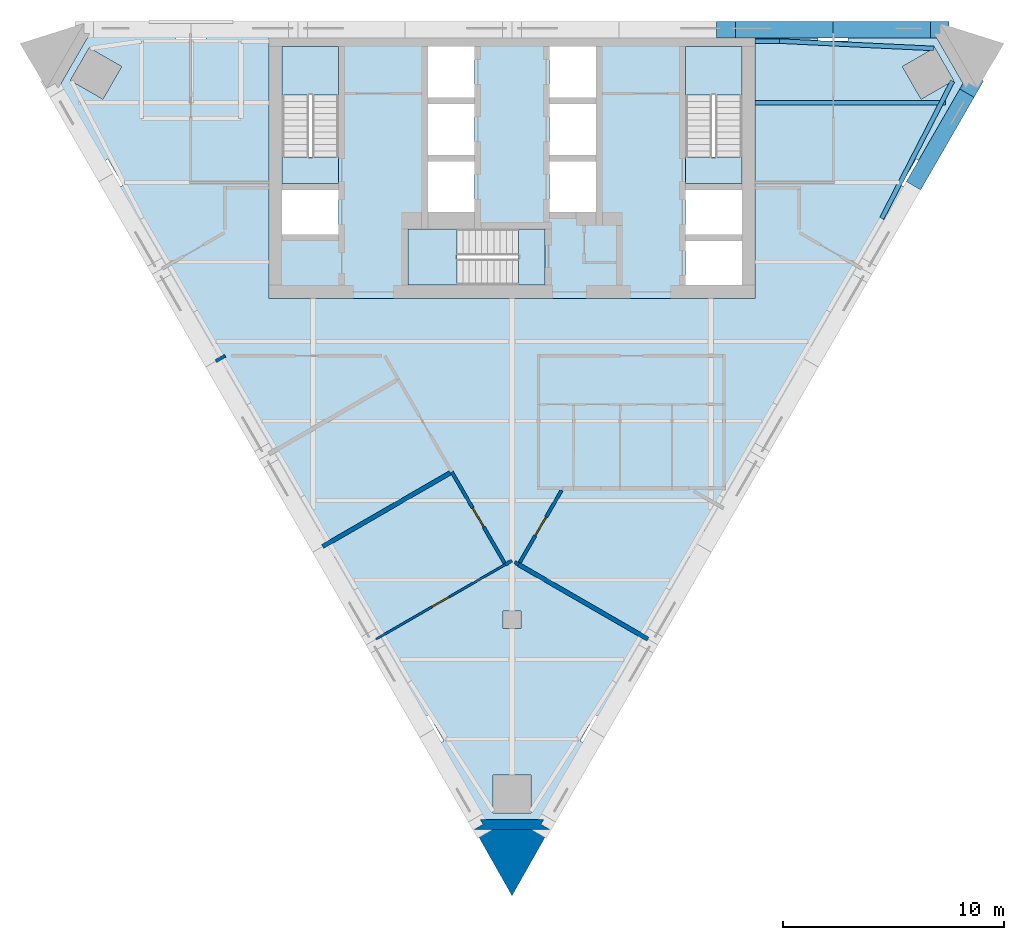
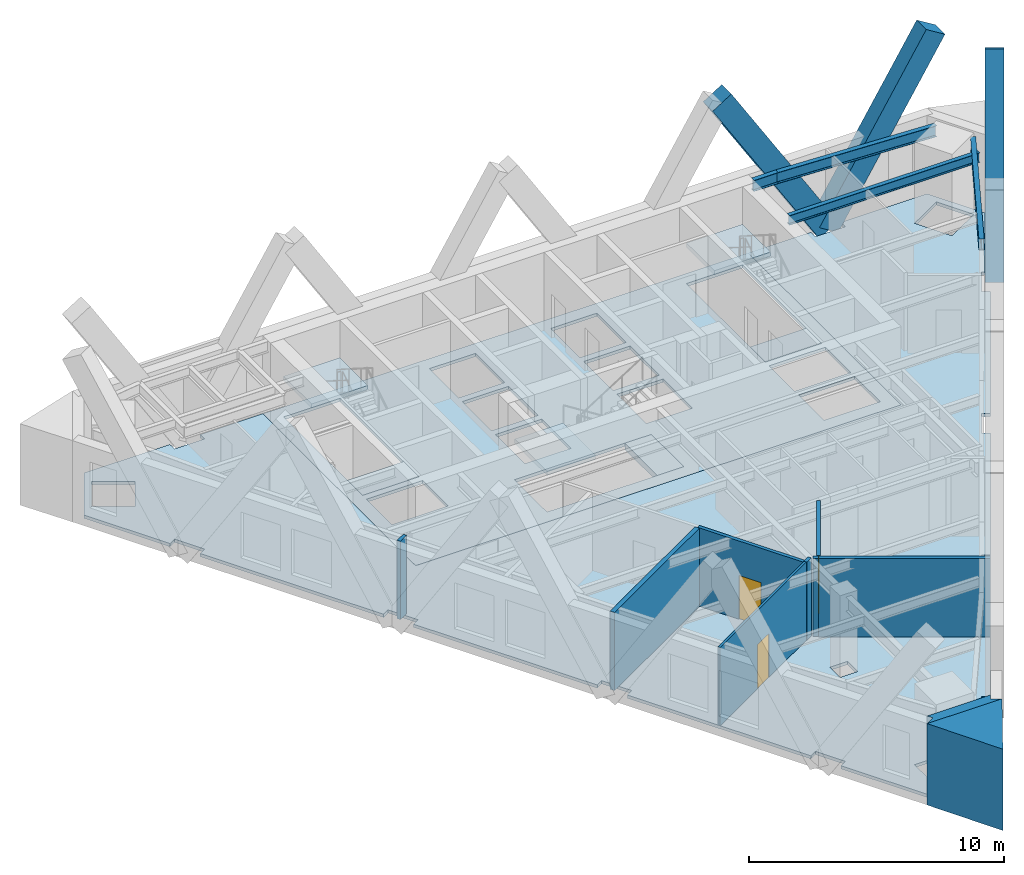
# One storey, part 2 of 7: 10 walls, 8 slabs, 4 beams, 3 doors, 3 members, 3 openings, 3 elements without a shape of their own.
"""IFC4 building model written with IfcOpenShell, lengths in metres."""

from ifc_helpers import new_model, si_unit, direction, frame, frame_2d, origin, origin_2d, place, context, subcontext, project, spatial, polyline, rectangle, i_section, outline, extrude, material, layer, layer_set, material_profile, profile_set, type_object, element, fill, aggregate, save


model = new_model("IFC4")

# Units and contexts
model_context = context("Model", 3, precision=1e-05, world=origin(), true_north=direction((0.0, 1.0)))
body_context = subcontext(model_context, "Body", "Model", "MODEL_VIEW")
ifc_project = project(units=[si_unit("LENGTHUNIT", "METRE"), si_unit("AREAUNIT", "SQUARE_METRE"), si_unit("VOLUMEUNIT", "CUBIC_METRE"), si_unit("PLANEANGLEUNIT", "RADIAN"), si_unit("MASSUNIT", "GRAM", prefix="KILO")], contexts=[model_context])

# Site, building, storey
site_placement = place(None, origin())
site = spatial("IfcSite", under=ifc_project, at=site_placement, CompositionType="ELEMENT")
building_placement = place(site_placement, origin())
building = spatial("IfcBuilding", under=site, at=building_placement, Name="Aloe Facet Convention Tower", CompositionType="ELEMENT")
storey_placement = place(building_placement, frame((0.0, 0.0, 188.0)))
storey = spatial("IfcBuildingStorey", under=building, at=storey_placement, Name="L47", CompositionType="ELEMENT", Elevation=188.0)

# Beams
ifc_material_1 = material(Name="Steel S355", Category="steel")
ifc_material_profile_1 = material_profile(ifc_material_1, i_section(OverallWidth=0.19140625, OverallDepth=0.4599609375, WebThickness=0.010009765625, FlangeThickness=0.01611328125, FilletRadius=0.01025390625, at=origin_2d()), Name="UB 457x191x82")
ifc_profile_set_1 = profile_set([ifc_material_profile_1], Name="Steel S355")
beam_type_1 = type_object("IfcBeamType", Name="SF-B-UB457x191x82", PredefinedType="BEAM", material=ifc_profile_set_1)
beam_1_placement = place(storey_placement, frame((91.0, 131.39990234375, 3.52001953125), z_axis=(1.0, 0.0, 0.0), x_axis=(0.0, 1.0, 0.0)))
element("IfcBeam", 1, at=beam_1_placement, inside=storey, type_object=beam_type_1, Name="Floor beam FB-Z4C-047", PredefinedType="BEAM", context=body_context, shape_type="SweptSolid", body=[
    extrude(i_section(OverallWidth=0.19140625, OverallDepth=0.4599609375, WebThickness=0.010009765625, FlangeThickness=0.01611328125, FilletRadius=0.01025390625, at=origin_2d()), origin(), (0.0, 0.0, 1.0), 8.626220703125),
])
ifc_material_2 = material(Name="Steel S355", Category="steel")
ifc_material_profile_2 = material_profile(ifc_material_2, i_section(OverallWidth=0.209228515625, OverallDepth=0.533203125, WebThickness=0.010009765625, FlangeThickness=0.015625, FilletRadius=0.0126953125, at=origin_2d()), Name="UB 533x210x92")
ifc_profile_set_2 = profile_set([ifc_material_profile_2], Name="Steel S355")
beam_type_2 = type_object("IfcBeamType", Name="SF-B-UB533x210x92", PredefinedType="BEAM", material=ifc_profile_set_2)
beam_2_placement = place(storey_placement, frame((91.0, 134.1953125, 3.4833984375), z_axis=(1.0, 0.0, 0.0), x_axis=(0.0, 1.0, 0.0)))
element("IfcBeam", 2, at=beam_2_placement, inside=storey, type_object=beam_type_2, Name="Floor beam FB-Z4C-016", PredefinedType="BEAM", context=body_context, shape_type="SweptSolid", body=[
    extrude(i_section(OverallWidth=0.209228515625, OverallDepth=0.533203125, WebThickness=0.010009765625, FlangeThickness=0.015625, FilletRadius=0.0126953125, at=origin_2d()), origin(), (0.0, 0.0, 1.0), 1.102783203125),
])
for number, where, z_axis, x_axis, name in (
    (3, (92.102783203125, 134.1953125, 3.4833984375), (0.998862131036, -0.047691122669, 0.0), (0.047691122669, 0.998862131036, 0.0), "Floor beam FB-Z4C-018"),
    (4, (99.94287109375, 132.389404296875, 3.4833984375), (-0.458134533977, -0.888882865611, 0.0), (0.888882865611, -0.458134533977, 0.0), "Floor beam FB-Z4C-021"),
):
    element("IfcBeam", number, at=place(storey_placement, frame(where, z_axis=z_axis, x_axis=x_axis)), inside=storey, type_object=beam_type_2, Name=name, PredefinedType="BEAM", context=body_context, shape_type="SweptSolid", body=[
        extrude(i_section(OverallWidth=0.209228515625, OverallDepth=0.533203125, WebThickness=0.010009765625, FlangeThickness=0.015625, FilletRadius=0.0126953125, at=origin_2d()), origin(), (0.0, 0.0, 1.0), 6.998046875),
    ])

# Members
ifc_material_3 = material(Name="Concrete C60/75, bronze oxide finish", Category="concrete")
ifc_material_profile_3 = material_profile(ifc_material_3, rectangle(XDim=0.75, YDim=1.0, at=origin_2d()), Name="STW-LM")
ifc_profile_set_3 = profile_set([ifc_material_profile_3], Name="Concrete C60/75, bronze oxide finish")
member_type = type_object("IfcMemberType", Name="STW-LM", PredefinedType="BRACE", material=ifc_profile_set_3)
for number, where, z_axis, x_axis, name in (
    (5, (94.5234375, 134.699951171875, 0.0), (0.52733571948, 0.0, 0.849657012541), (0.0, 1.0, 0.0), "Lattice member LM-Z4-F1-R1-01"),
    (6, (94.5234375, 134.699951171875, 0.0), (-0.52733571948, 0.0, 0.849657012541), (0.0, -1.0, 0.0), "Lattice member LM-Z4-F1-R1-02"),
    (7, (98.38427734375, 128.012939453125, 0.0), (0.263653622482, 0.456699985767, 0.84965398272), (-0.866043662766, 0.499968373182, 0.0), "Lattice member LM-Z4-F3-R1-08"),
):
    element("IfcMember", number, at=place(storey_placement, frame(where, z_axis=z_axis, x_axis=x_axis)), inside=storey, type_object=member_type, Name=name, PredefinedType="BRACE", context=body_context, shape_type="SweptSolid", body=[
        extrude(rectangle(XDim=0.75, YDim=1.0, at=origin_2d()), origin(), (0.0, 0.0, 1.0), 9.18017578125),
    ])

# Slabs
ifc_material_4 = material(Name="Concrete C50/60", Category="concrete")
ifc_layer_1 = layer(ifc_material_4, 0.14990234375)
ifc_layer_set_1 = layer_set([ifc_layer_1], Name="CR-S-FLOOR150-C5060")
slab_type_1 = type_object("IfcSlabType", Name="CR-S-FLOOR150-C5060", PredefinedType="FLOOR", material=ifc_layer_set_1)
slab_1_placement = place(storey_placement, frame((0.0, 0.0, -0.14990234375)))
element("IfcSlab", 8, at=slab_1_placement, inside=storey, type_object=slab_type_1, Name="Core floor L47", PredefinedType="FLOOR", context=body_context, shape_type="SweptSolid", body=[
    extrude(outline(polyline([(71.85009765625, 134.550048828125), (72.75, 134.550048828125), (75.60009765625, 134.550048828125), (76.5, 134.550048828125), (78.0, 134.550048828125), (78.89990234375, 134.550048828125), (81.10009765625, 134.550048828125), (82.0, 134.550048828125), (83.5, 134.550048828125), (84.39990234375, 134.550048828125), (87.25, 134.550048828125), (88.14990234375, 134.550048828125), (91.0, 134.550048828125), (91.0, 128.050048828125), (91.0, 127.14990234375), (91.0, 125.75), (91.0, 124.85009765625), (91.0, 122.550048828125), (88.14990234375, 122.550048828125), (87.25, 122.550048828125), (85.300048828125, 122.550048828125), (84.39990234375, 122.550048828125), (82.10009765625, 122.550048828125), (81.199951171875, 122.550048828125), (75.60009765625, 122.550048828125), (74.699951171875, 122.550048828125), (72.75, 122.550048828125), (71.85009765625, 122.550048828125), (69.0, 122.550048828125), (69.0, 124.85009765625), (69.0, 125.75), (69.0, 127.14990234375), (69.0, 128.050048828125), (69.0, 134.550048828125), (71.85009765625, 134.550048828125)]), holes=[polyline([(80.298828125, 123.14990234375), (81.5, 123.14990234375), (81.5, 125.699951171875), (80.298828125, 125.699951171875), (75.300048828125, 125.699951171875), (75.300048828125, 123.14990234375), (80.298828125, 123.14990234375)]), polyline([(69.60009765625, 125.449951171875), (72.14990234375, 125.449951171875), (72.14990234375, 127.449951171875), (69.60009765625, 127.449951171875), (69.60009765625, 125.449951171875)]), polyline([(76.199951171875, 126.449951171875), (78.300048828125, 126.449951171875), (78.300048828125, 128.75), (76.199951171875, 128.75), (76.199951171875, 126.449951171875)]), polyline([(78.300048828125, 129.050048828125), (78.300048828125, 131.35009765625), (76.199951171875, 131.35009765625), (76.199951171875, 129.050048828125), (78.300048828125, 129.050048828125)]), polyline([(69.60009765625, 133.949951171875), (69.60009765625, 128.951171875), (69.60009765625, 127.75), (72.14990234375, 127.75), (72.14990234375, 128.951171875), (72.14990234375, 133.949951171875), (69.60009765625, 133.949951171875)]), polyline([(76.199951171875, 131.64990234375), (78.300048828125, 131.64990234375), (78.300048828125, 133.949951171875), (76.199951171875, 133.949951171875), (76.199951171875, 131.64990234375)]), polyline([(90.39990234375, 123.14990234375), (90.39990234375, 125.14990234375), (87.85009765625, 125.14990234375), (87.85009765625, 123.14990234375), (90.39990234375, 123.14990234375)]), polyline([(87.85009765625, 125.449951171875), (90.39990234375, 125.449951171875), (90.39990234375, 127.449951171875), (87.85009765625, 127.449951171875), (87.85009765625, 125.449951171875)]), polyline([(81.699951171875, 126.449951171875), (83.800048828125, 126.449951171875), (83.800048828125, 128.75), (81.699951171875, 128.75), (81.699951171875, 126.449951171875)]), polyline([(83.800048828125, 129.050048828125), (83.800048828125, 131.35009765625), (81.699951171875, 131.35009765625), (81.699951171875, 129.050048828125), (83.800048828125, 129.050048828125)]), polyline([(87.85009765625, 133.949951171875), (87.85009765625, 128.951171875), (87.85009765625, 127.75), (90.39990234375, 127.75), (90.39990234375, 128.951171875), (90.39990234375, 133.949951171875), (87.85009765625, 133.949951171875)]), polyline([(81.699951171875, 131.64990234375), (83.800048828125, 131.64990234375), (83.800048828125, 133.949951171875), (81.699951171875, 133.949951171875), (81.699951171875, 131.64990234375)])]), origin(), (0.0, 0.0, 1.0), 0.14990234375),
])
ifc_material_5 = material(Name="Concrete C50/60", Category="concrete")
ifc_layer_2 = layer(ifc_material_5, 0.300048828125)
ifc_layer_set_2 = layer_set([ifc_layer_2], Name="CR-S-FLOOR300-C5060")
slab_type_2 = type_object("IfcSlabType", Name="CR-S-FLOOR300-C5060", PredefinedType="FLOOR", material=ifc_layer_set_2)
slab_2_placement = place(storey_placement, frame((0.0, 0.0, -0.300048828125)))
element("IfcSlab", 9, at=slab_2_placement, inside=storey, type_object=slab_type_2, Name="Stair landing floor L47", PredefinedType="FLOOR", context=body_context, shape_type="SweptSolid", body=[
    extrude(outline(polyline([(72.14990234375, 127.75), (72.14990234375, 128.951171875), (69.60009765625, 128.951171875), (69.60009765625, 127.75), (72.14990234375, 127.75)])), origin(), (0.0, 0.0, 1.0), 0.300048828125),
])
slab_3_placement = place(storey_placement, frame((0.0, 0.0, -0.300048828125)))
element("IfcSlab", 10, at=slab_3_placement, inside=storey, type_object=slab_type_2, Name="Stair landing floor L47", PredefinedType="FLOOR", context=body_context, shape_type="SweptSolid", body=[
    extrude(outline(polyline([(90.39990234375, 127.75), (90.39990234375, 128.951171875), (87.85009765625, 128.951171875), (87.85009765625, 127.75), (90.39990234375, 127.75)])), origin(), (0.0, 0.0, 1.0), 0.300048828125),
])
slab_4_placement = place(storey_placement, frame((0.0, 0.0, -0.300048828125)))
element("IfcSlab", 11, at=slab_4_placement, inside=storey, type_object=slab_type_2, Name="Stair landing floor L47", PredefinedType="FLOOR", context=body_context, shape_type="SweptSolid", body=[
    extrude(outline(polyline([(81.5, 125.699951171875), (80.298828125, 125.699951171875), (80.298828125, 123.14990234375), (81.5, 123.14990234375), (81.5, 125.699951171875)])), origin(), (0.0, 0.0, 1.0), 0.300048828125),
])

# Stair, slab
ifc_material_6 = material(Name="Concrete C50/60", Category="concrete")
stair_type = type_object("IfcStairType", Name="CR-ST-22R", PredefinedType="HALF_TURN_STAIR", material=ifc_material_6)
stair_1_placement = place(storey_placement, origin())
stair_1 = element("IfcStair", 12, at=stair_1_placement, inside=storey, type_object=stair_type, Name="L47 Protected exit stair ST1", PredefinedType="HALF_TURN_STAIR")
ifc_material_7 = material(Name="Concrete C50/60", Category="concrete")
ifc_layer_3 = layer(ifc_material_7, 0.199951171875)
ifc_layer_set_3 = layer_set([ifc_layer_3], Name="CR-SL-LANDING")
slab_type_3 = type_object("IfcSlabType", Name="CR-SL-LANDING", PredefinedType="LANDING", material=ifc_layer_set_3)
slab_5_placement = place(storey_placement, frame((0.0, 0.0, 1.75)))
slab_5 = element("IfcSlab", 13, at=slab_5_placement, type_object=slab_type_3, Name="ST1 landing 1", PredefinedType="LANDING", context=body_context, shape_type="SweptSolid", body=[
    extrude(outline(polyline([(72.14990234375, 131.75), (72.14990234375, 133.949951171875), (69.60009765625, 133.949951171875), (69.60009765625, 131.75), (72.14990234375, 131.75)])), origin(), (0.0, 0.0, 1.0), 0.199951171875),
])
aggregate(stair_1, [slab_5])

stair_2_placement = place(storey_placement, origin())
stair_2 = element("IfcStair", 14, at=stair_2_placement, inside=storey, type_object=stair_type, Name="L47 Protected exit stair ST2", PredefinedType="HALF_TURN_STAIR")
slab_6_placement = place(storey_placement, frame((0.0, 0.0, 1.75)))
slab_6 = element("IfcSlab", 15, at=slab_6_placement, type_object=slab_type_3, Name="ST2 landing 1", PredefinedType="LANDING", context=body_context, shape_type="SweptSolid", body=[
    extrude(outline(polyline([(90.39990234375, 131.75), (90.39990234375, 133.949951171875), (87.85009765625, 133.949951171875), (87.85009765625, 131.75), (90.39990234375, 131.75)])), origin(), (0.0, 0.0, 1.0), 0.199951171875),
])
aggregate(stair_2, [slab_6])

stair_3_placement = place(storey_placement, origin())
stair_3 = element("IfcStair", 16, at=stair_3_placement, inside=storey, type_object=stair_type, Name="L47 Protected exit stair ST3", PredefinedType="HALF_TURN_STAIR")
slab_7_placement = place(storey_placement, frame((0.0, 0.0, 1.75)))
slab_7 = element("IfcSlab", 17, at=slab_7_placement, type_object=slab_type_3, Name="ST3 landing 1", PredefinedType="LANDING", context=body_context, shape_type="SweptSolid", body=[
    extrude(outline(polyline([(77.5, 125.699951171875), (75.300048828125, 125.699951171875), (75.300048828125, 123.14990234375), (77.5, 123.14990234375), (77.5, 125.699951171875)])), origin(), (0.0, 0.0, 1.0), 0.199951171875),
])
aggregate(stair_3, [slab_7])

# Slab
ifc_material_8 = material(Name="Concrete C35/45", Category="concrete")
ifc_layer_4 = layer(ifc_material_8, 0.14990234375)
ifc_layer_set_4 = layer_set([ifc_layer_4], Name="SF-FS-150")
slab_type_4 = type_object("IfcSlabType", Name="SF-FS-150", PredefinedType="FLOOR", material=ifc_layer_set_4)
slab_8_placement = place(storey_placement, frame((0.0, 0.0, -0.14990234375)))
element("IfcSlab", 18, at=slab_8_placement, inside=storey, type_object=slab_type_4, Name="Floor slab L47-1", PredefinedType="FLOOR", context=body_context, shape_type="SweptSolid", body=[
    extrude(outline(polyline([(100.544921875, 132.055419921875), (98.59521484375, 128.67822265625), (98.2919921875, 128.853271484375), (98.24560546875, 128.772705078125), (98.072021484375, 128.472412109375), (98.0390625, 128.4150390625), (97.983642578125, 128.319091796875), (97.951171875, 128.262939453125), (97.918701171875, 128.206787109375), (97.86328125, 128.11083984375), (97.830322265625, 128.0537109375), (97.656982421875, 127.75341796875), (97.6103515625, 127.672607421875), (97.91357421875, 127.497802734375), (93.75390625, 120.293212890625), (93.450927734375, 120.468017578125), (93.404296875, 120.387451171875), (93.30419921875, 120.21435546875), (92.9892578125, 119.66845703125), (92.840576171875, 119.4111328125), (92.769287109375, 119.28759765625), (93.072509765625, 119.112548828125), (88.912841796875, 111.907958984375), (88.609619140625, 112.0830078125), (88.56298828125, 112.002197265625), (88.463134765625, 111.8291015625), (88.148193359375, 111.283447265625), (87.927978515625, 110.90234375), (88.231201171875, 110.727294921875), (84.07177734375, 103.522705078125), (83.7685546875, 103.69775390625), (83.721923828125, 103.6171875), (83.721923828125, 103.6171875), (83.427734375, 103.107666015625), (83.306884765625, 102.898193359375), (83.133544921875, 102.597900390625), (83.0869140625, 102.517333984375), (83.39013671875, 102.34228515625), (81.440185546875, 98.965087890625), (78.559814453125, 98.965087890625), (76.60986328125, 102.34228515625), (76.9130859375, 102.517333984375), (76.7666015625, 102.77099609375), (76.693115234375, 102.898193359375), (76.572265625, 103.107666015625), (76.539794921875, 103.163818359375), (76.484375, 103.259765625), (76.451416015625, 103.31689453125), (76.278076171875, 103.6171875), (76.2314453125, 103.69775390625), (75.92822265625, 103.522705078125), (71.768798828125, 110.727294921875), (72.072021484375, 110.90234375), (71.851806640625, 111.283447265625), (71.731201171875, 111.49267578125), (71.687744140625, 111.56787109375), (71.610107421875, 111.701904296875), (71.43798828125, 112.000244140625), (71.43701171875, 112.002197265625), (71.390380859375, 112.0830078125), (71.087158203125, 111.907958984375), (66.927490234375, 119.112548828125), (67.230712890625, 119.28759765625), (66.76904296875, 120.087158203125), (66.69580078125, 120.21435546875), (66.595703125, 120.387451171875), (66.549072265625, 120.468017578125), (66.24609375, 120.293212890625), (62.08642578125, 127.497802734375), (62.3896484375, 127.672607421875), (62.201416015625, 127.998779296875), (62.048828125, 128.262939453125), (62.046630859375, 128.2666015625), (61.937744140625, 128.455322265625), (61.927978515625, 128.472412109375), (61.7080078125, 128.853271484375), (61.40478515625, 128.67822265625), (59.455078125, 132.055419921875), (60.895263671875, 134.550048828125), (64.794921875, 134.550048828125), (64.794921875, 134.199951171875), (64.88818359375, 134.199951171875), (65.23486328125, 134.199951171875), (65.4765625, 134.199951171875), (65.71826171875, 134.199951171875), (66.06494140625, 134.199951171875), (66.158203125, 134.199951171875), (66.158203125, 134.550048828125), (69.0, 134.550048828125), (69.0, 128.050048828125), (69.0, 127.14990234375), (69.0, 125.75), (69.0, 124.85009765625), (69.0, 122.550048828125), (71.85009765625, 122.550048828125), (72.75, 122.550048828125), (74.699951171875, 122.550048828125), (75.60009765625, 122.550048828125), (81.199951171875, 122.550048828125), (82.10009765625, 122.550048828125), (84.39990234375, 122.550048828125), (85.300048828125, 122.550048828125), (87.25, 122.550048828125), (88.14990234375, 122.550048828125), (91.0, 122.550048828125), (91.0, 124.85009765625), (91.0, 125.75), (91.0, 127.14990234375), (91.0, 128.050048828125), (91.0, 134.550048828125), (93.841796875, 134.550048828125), (93.841796875, 134.199951171875), (93.93505859375, 134.199951171875), (94.28173828125, 134.199951171875), (94.5234375, 134.199951171875), (94.76513671875, 134.199951171875), (95.11181640625, 134.199951171875), (95.205078125, 134.199951171875), (95.205078125, 134.550048828125), (99.104736328125, 134.550048828125), (100.544921875, 132.055419921875)]), holes=[polyline([(62.33203125, 133.038818359375), (60.85986328125, 133.888916015625), (60.010009765625, 132.41650390625), (61.482177734375, 131.566650390625), (62.33203125, 133.038818359375)]), polyline([(79.14990234375, 100.965087890625), (79.14990234375, 99.264892578125), (80.85009765625, 99.264892578125), (80.85009765625, 100.965087890625), (79.14990234375, 100.965087890625)]), polyline([(79.60009765625, 107.60009765625), (80.39990234375, 107.60009765625), (80.39990234375, 108.39990234375), (79.60009765625, 108.39990234375), (79.60009765625, 107.60009765625)]), polyline([(98.517822265625, 131.566650390625), (99.989990234375, 132.41650390625), (99.14013671875, 133.888916015625), (97.66796875, 133.038818359375), (98.517822265625, 131.566650390625)])]), origin(), (0.0, 0.0, 1.0), 0.14990234375),
])

# Walls
ifc_material_9 = material(Name="Precast concrete C40/50", Category="concrete")
ifc_layer_5 = layer(ifc_material_9, 0.449951171875)
ifc_layer_set_5 = layer_set([ifc_layer_5], Name="EV-WALL-PIER")
wall_type_1 = type_object("IfcWallType", Name="EV-WALL-PIER", PredefinedType="SOLIDWALL", material=ifc_layer_set_5)
wall_1_placement = place(storey_placement, frame((0.0, 0.0, -0.14990234375)))
element("IfcWall", 19, at=wall_1_placement, inside=storey, type_object=wall_type_1, Name="EP-L47-B", PredefinedType="SOLIDWALL", context=body_context, shape_type="SweptSolid", body=[
    extrude(outline(polyline([(78.300048828125, 98.514892578125), (78.689697265625, 98.739990234375), (78.559814453125, 98.965087890625), (81.440185546875, 98.965087890625), (81.310302734375, 98.739990234375), (81.699951171875, 98.514892578125), (78.300048828125, 98.514892578125)])), origin(), (0.0, 0.0, 1.0), 3.89990234375),
])
ifc_material_10 = material(Name="Precast concrete C40/50", Category="concrete")
ifc_layer_6 = layer(ifc_material_10, 3.947998046875)
ifc_layer_set_6 = layer_set([ifc_layer_6], Name="EV-WALL-SPINE")
wall_type_2 = type_object("IfcWallType", Name="EV-WALL-SPINE", PredefinedType="SOLIDWALL", material=ifc_layer_set_6)
wall_2_placement = place(storey_placement, frame((0.0, 0.0, -0.14990234375)))
element("IfcWall", 20, at=wall_2_placement, inside=storey, type_object=wall_type_2, Name="SP-S-L47", PredefinedType="SOLIDWALL", context=body_context, shape_type="SweptSolid", body=[
    extrude(outline(polyline([(78.300048828125, 98.514892578125), (80.0, 95.5107421875), (81.699951171875, 98.514892578125), (78.300048828125, 98.514892578125)])), origin(), (0.0, 0.0, 1.0), 3.89990234375),
])
ifc_material_11 = material(Name="Gypsum board partition on steel studs", Category="steel")
ifc_layer_7 = layer(ifc_material_11, 0.14990234375)
ifc_layer_set_7 = layer_set([ifc_layer_7], Name="IN-W-CORR")
wall_type_3 = type_object("IfcWallType", Name="IN-W-CORR", PredefinedType="PARTITIONING", material=ifc_layer_set_7)
wall_3_placement = place(storey_placement, frame((79.702880859375, 110.505126953125, 0.0), z_axis=(0.0, 0.0, 1.0), x_axis=(0.865913012852, 0.500194616298, 0.0)))
element("IfcWall", 21, at=wall_3_placement, inside=storey, type_object=wall_type_3, Name="Partition L47-W002", PredefinedType="PARTITIONING", context=body_context, shape_type="SweptSolid", body=[
    extrude(rectangle(XDim=0.343017578125, YDim=0.14990234375, at=frame_2d((0.17138671875, 0.0))), origin(), (0.0, 0.0, 1.0), 3.75),
])

# Wall, opening, door
wall_4_placement = place(storey_placement, frame((77.273681640625, 114.692626953125, 0.0), z_axis=(0.0, 0.0, 1.0), x_axis=(0.501799348286, -0.864984054223, 0.0)))
wall_4 = element("IfcWall", 22, at=wall_4_placement, inside=storey, type_object=wall_type_3, Name="Partition L47-W003", PredefinedType="PARTITIONING", context=body_context, shape_type="SweptSolid", body=[
    extrude(rectangle(XDim=4.76611328125, YDim=0.14990234375, at=frame_2d((2.383056640625, 0.0))), origin(), (0.0, 0.0, 1.0), 3.75),
])
opening_1_placement = place(wall_4_placement, frame((1.883056640625, 0.0, 0.0)))
opening_1 = element("IfcOpeningElement", 23, at=opening_1_placement, cuts=wall_4, Name="Opening L47-011", PredefinedType="OPENING", context=body_context, shape_type="SweptSolid", body=[
    extrude(rectangle(XDim=1.0, YDim=2.10009765625, at=frame_2d((0.5, 1.050048828125))), frame((0.0, 0.0849609375, 0.0), z_axis=(0.0, -1.0, 0.0), x_axis=(1.0, 0.0, 0.0)), (0.0, 0.0, 1.0), 0.169921875),
])
ifc_material_12 = material(Name="Timber door FD30S with vision panel", Category="wood")
door_type_1 = type_object("IfcDoorType", Name="IN-OFF-D-ENTRY", OperationType="SINGLE_SWING_LEFT", PredefinedType="DOOR", material=ifc_material_12)
door_1_placement = place(opening_1_placement, origin())
door_1 = element("IfcDoor", 24, at=door_1_placement, inside=storey, type_object=door_type_1, Name="Door L47-011", OperationType="SINGLE_SWING_LEFT", OverallHeight=2.10009765625, OverallWidth=1.0, PredefinedType="DOOR", context=body_context, shape_type="SweptSolid", body=[
    extrude(rectangle(XDim=1.0, YDim=2.10009765625, at=frame_2d((0.5, 1.050048828125))), frame((0.0, 0.02490234375, 0.0), z_axis=(0.0, -1.0, 0.0), x_axis=(1.0, 0.0, 0.0)), (0.0, 0.0, 1.0), 0.050048828125),
])
fill(opening_1, door_1)

# Wall
wall_5_placement = place(storey_placement, frame((80.112548828125, 110.61181640625, 0.0), z_axis=(0.0, 0.0, 1.0), x_axis=(0.865765842911, -0.500449303376, 0.0)))
element("IfcWall", 25, at=wall_5_placement, inside=storey, type_object=wall_type_3, Name="Partition L47-W005", PredefinedType="PARTITIONING", context=body_context, shape_type="SweptSolid", body=[
    extrude(rectangle(XDim=0.213134765625, YDim=0.14990234375, at=frame_2d((0.1064453125, 0.0))), origin(), (0.0, 0.0, 1.0), 3.75),
])

# Wall, opening, door
wall_6_placement = place(storey_placement, frame((80.352294921875, 110.600341796875, 0.0), z_axis=(0.0, 0.0, 1.0), x_axis=(0.502155861577, 0.864777133534, 0.0)))
wall_6 = element("IfcWall", 26, at=wall_6_placement, inside=storey, type_object=wall_type_3, Name="Partition L47-W012", PredefinedType="PARTITIONING", context=body_context, shape_type="SweptSolid", body=[
    extrude(rectangle(XDim=3.763671875, YDim=0.14990234375, at=frame_2d((1.8818359375, 0.0))), origin(), (0.0, 0.0, 1.0), 3.75),
])
opening_2_placement = place(wall_6_placement, frame((1.3818359375, 0.0, 0.0)))
opening_2 = element("IfcOpeningElement", 27, at=opening_2_placement, cuts=wall_6, Name="Opening L47-012", PredefinedType="OPENING", context=body_context, shape_type="SweptSolid", body=[
    extrude(rectangle(XDim=1.0, YDim=2.10009765625, at=frame_2d((0.5, 1.050048828125))), frame((0.0, 0.0849609375, 0.0), z_axis=(0.0, -1.0, 0.0), x_axis=(1.0, 0.0, 0.0)), (0.0, 0.0, 1.0), 0.169921875),
])
door_2_placement = place(opening_2_placement, origin())
door_2 = element("IfcDoor", 28, at=door_2_placement, inside=storey, type_object=door_type_1, Name="Door L47-012", OperationType="SINGLE_SWING_LEFT", OverallHeight=2.10009765625, OverallWidth=1.0, PredefinedType="DOOR", context=body_context, shape_type="SweptSolid", body=[
    extrude(rectangle(XDim=1.0, YDim=2.10009765625, at=frame_2d((0.5, 1.050048828125))), frame((0.0, 0.02490234375, 0.0), z_axis=(0.0, -1.0, 0.0), x_axis=(1.0, 0.0, 0.0)), (0.0, 0.0, 1.0), 0.050048828125),
])
fill(opening_2, door_2)

# Wall
wall_7_placement = place(storey_placement, frame((66.595458984375, 119.707763671875, 0.0), z_axis=(0.0, 0.0, 1.0), x_axis=(0.865967067452, 0.500101027882, 0.0)))
element("IfcWall", 29, at=wall_7_placement, inside=storey, type_object=wall_type_3, Name="Partition L47-W030", PredefinedType="PARTITIONING", context=body_context, shape_type="SweptSolid", body=[
    extrude(rectangle(XDim=0.48388671875, YDim=0.14990234375, at=frame_2d((0.241943359375, 0.0))), origin(), (0.0, 0.0, 1.0), 3.75),
])

# Wall, opening, door
ifc_material_13 = material(Name="Gypsum board partition on steel studs", Category="steel")
ifc_layer_8 = layer(ifc_material_13, 0.10009765625)
ifc_layer_set_8 = layer_set([ifc_layer_8], Name="IN-W-PART")
wall_type_4 = type_object("IfcWallType", Name="IN-W-PART", PredefinedType="PARTITIONING", material=ifc_layer_set_8)
wall_8_placement = place(storey_placement, frame((73.8486328125, 107.125244140625, 0.0), z_axis=(0.0, 0.0, 1.0), x_axis=(0.866029815523, 0.499992358568, 0.0)))
wall_8 = element("IfcWall", 30, at=wall_8_placement, inside=storey, type_object=wall_type_4, Name="Partition L47-W001", PredefinedType="PARTITIONING", context=body_context, shape_type="SweptSolid", body=[
    extrude(rectangle(XDim=6.759765625, YDim=0.10009765625, at=frame_2d((3.3798828125, 0.0))), origin(), (0.0, 0.0, 1.0), 3.75),
])
opening_3_placement = place(wall_8_placement, frame((2.929931640625, 0.0, 0.0)))
opening_3 = element("IfcOpeningElement", 31, at=opening_3_placement, cuts=wall_8, Name="Opening L47-014", PredefinedType="OPENING", context=body_context, shape_type="SweptSolid", body=[
    extrude(rectangle(XDim=0.89990234375, YDim=2.10009765625, at=frame_2d((0.449951171875, 1.050048828125))), frame((0.0, 0.06005859375, 0.0), z_axis=(0.0, -1.0, 0.0), x_axis=(1.0, 0.0, 0.0)), (0.0, 0.0, 1.0), 0.1201171875),
])
ifc_material_14 = material(Name="Timber door", Category="wood")
door_type_2 = type_object("IfcDoorType", Name="IN-OFF-D-ROOM", OperationType="SINGLE_SWING_LEFT", PredefinedType="DOOR", material=ifc_material_14)
door_3_placement = place(opening_3_placement, origin())
door_3 = element("IfcDoor", 32, at=door_3_placement, inside=storey, type_object=door_type_2, Name="Door L47-014", OperationType="SINGLE_SWING_LEFT", OverallHeight=2.10009765625, OverallWidth=0.89990234375, PredefinedType="DOOR", context=body_context, shape_type="SweptSolid", body=[
    extrude(rectangle(XDim=0.89990234375, YDim=2.10009765625, at=frame_2d((0.449951171875, 1.050048828125))), frame((0.0, 0.02490234375, 0.0), z_axis=(0.0, -1.0, 0.0), x_axis=(1.0, 0.0, 0.0)), (0.0, 0.0, 1.0), 0.050048828125),
])
fill(opening_3, door_3)

# Walls
ifc_material_15 = material(Name="Gypsum board partition on steel studs", Category="steel")
ifc_layer_9 = layer(ifc_material_15, 0.199951171875)
ifc_layer_set_9 = layer_set([ifc_layer_9], Name="IN-W-PARTY")
wall_type_5 = type_object("IfcWallType", Name="IN-W-PARTY", PredefinedType="PARTITIONING", material=ifc_layer_set_9)
wall_9_placement = place(storey_placement, frame((80.297119140625, 110.505126953125, 0.0), z_axis=(0.0, 0.0, 1.0), x_axis=(0.866029815523, -0.499992358568, 0.0)))
element("IfcWall", 33, at=wall_9_placement, inside=storey, type_object=wall_type_5, Name="Partition L47-W004", PredefinedType="PARTITIONING", context=body_context, shape_type="SweptSolid", body=[
    extrude(rectangle(XDim=6.759765625, YDim=0.199951171875, at=frame_2d((3.3798828125, 0.0))), origin(), (0.0, 0.0, 1.0), 3.75),
])
wall_10_placement = place(storey_placement, frame((71.427978515625, 111.317626953125, 0.0), z_axis=(0.0, 0.0, 1.0), x_axis=(0.866020884234, 0.500007828009, 0.0)))
element("IfcWall", 34, at=wall_10_placement, inside=storey, type_object=wall_type_5, Name="Partition L47-W006", PredefinedType="PARTITIONING", context=body_context, shape_type="SweptSolid", body=[
    extrude(rectangle(XDim=6.6650390625, YDim=0.199951171875, at=frame_2d((3.33251953125, 0.0))), origin(), (0.0, 0.0, 1.0), 3.75),
])

save(model, "model.ifc")
